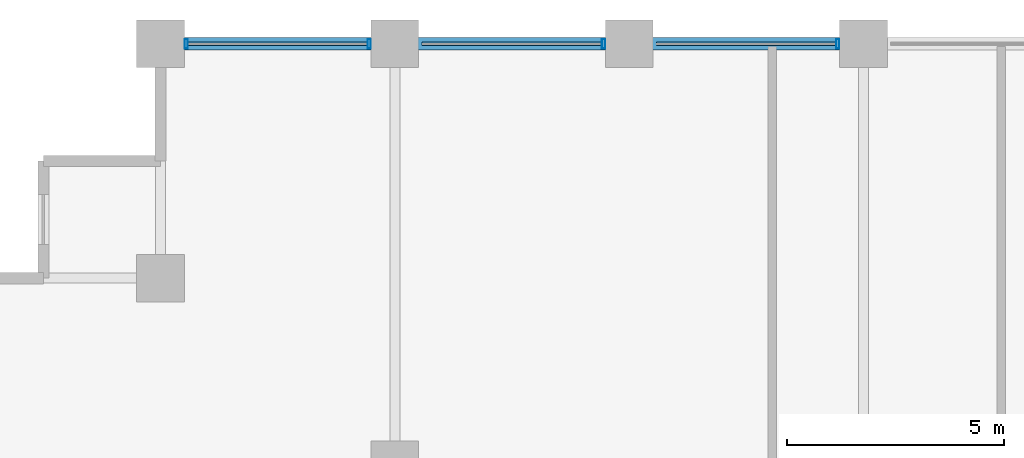
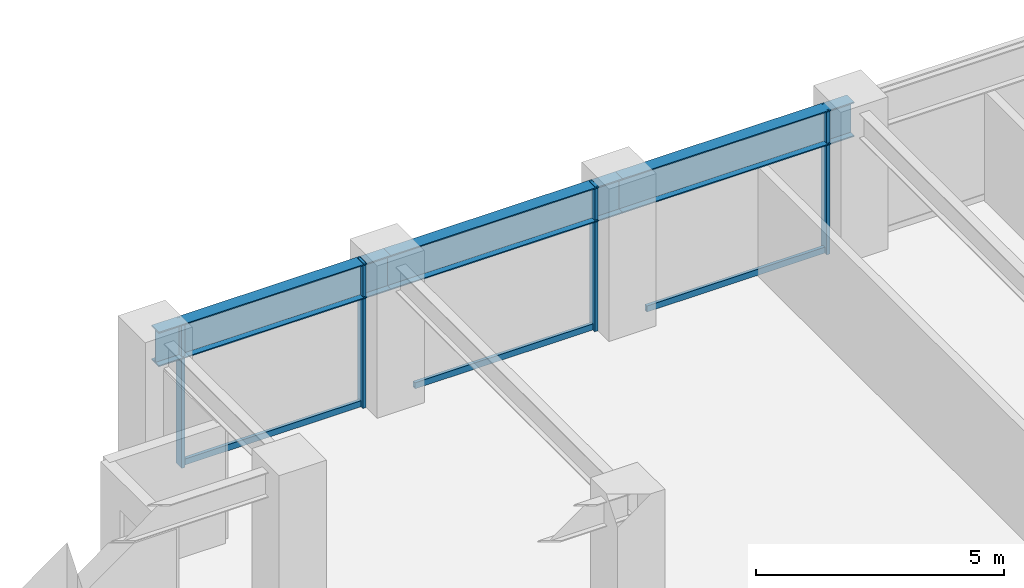
# One storey, part 12 of 25: 7 members, 3 beams, 1 element without a shape of its own.
"""IFC4 building model written with IfcOpenShell, lengths in metres."""

from ifc_helpers import new_model, si_unit, direction, frame, origin, origin_2d, place, context, subcontext, project, spatial, hollow_rectangle, i_section, extrude, material, layer, layer_set, material_profile, profile_set, type_object, element, aggregate, save


model = new_model("IFC4")

# Units and contexts
model_context = context("Model", 3, precision=1e-05, world=origin(), true_north=direction((0.0, 1.0)))
body_context = subcontext(model_context, "Body", "Model", "MODEL_VIEW")
ifc_project = project(units=[si_unit("LENGTHUNIT", "METRE"), si_unit("AREAUNIT", "SQUARE_METRE"), si_unit("VOLUMEUNIT", "CUBIC_METRE"), si_unit("PLANEANGLEUNIT", "RADIAN"), si_unit("MASSUNIT", "GRAM", prefix="KILO")], contexts=[model_context])

# Site, building, storey
site_placement = place(None, origin())
site = spatial("IfcSite", under=ifc_project, at=site_placement, CompositionType="ELEMENT")
building_placement = place(site_placement, origin())
building = spatial("IfcBuilding", under=site, at=building_placement, Name="Surkhivell Harbour Commons", CompositionType="ELEMENT")
storey_placement = place(building_placement, frame((0.0, 0.0, 120.75)))
storey = spatial("IfcBuildingStorey", under=building, at=storey_placement, Name="L31", CompositionType="ELEMENT", Elevation=120.75)

# Beams
ifc_material_1 = material(Name="Steel S460", Category="steel")
ifc_material_profile_1 = material_profile(ifc_material_1, i_section(OverallWidth=0.2939453125, OverallDepth=0.85107421875, WebThickness=0.01611328125, FlangeThickness=0.02685546875, at=origin_2d()), Name="UB838x292x226")
ifc_profile_set_1 = profile_set([ifc_material_profile_1], Name="Steel S460")
beam_type = type_object("IfcBeamType", Name="BM-SPN-838", PredefinedType="SPANDREL", material=ifc_profile_set_1)
beam_1_placement = place(storey_placement, frame((-27.0, 25.89990234375, 3.14453125), z_axis=(1.0, 0.0, 0.0), x_axis=(0.0, 1.0, 0.0)))
element("IfcBeam", 1, at=beam_1_placement, inside=storey, type_object=beam_type, Name="L31 Tube Spandrel (-27.0,25.9)", PredefinedType="SPANDREL", context=body_context, shape_type="SweptSolid", body=[
    extrude(i_section(OverallWidth=0.2939453125, OverallDepth=0.85107421875, WebThickness=0.01611328125, FlangeThickness=0.02685546875, at=origin_2d()), origin(), (0.0, 0.0, 1.0), 5.39990234375),
])
beam_2_placement = place(storey_placement, frame((-21.60009765625, 25.89990234375, 3.14453125), z_axis=(1.0, 0.0, 0.0), x_axis=(0.0, 1.0, 0.0)))
element("IfcBeam", 2, at=beam_2_placement, inside=storey, type_object=beam_type, Name="L31 Tube Spandrel (-21.6,25.9)", PredefinedType="SPANDREL", context=body_context, shape_type="SweptSolid", body=[
    extrude(i_section(OverallWidth=0.2939453125, OverallDepth=0.85107421875, WebThickness=0.01611328125, FlangeThickness=0.02685546875, at=origin_2d()), origin(), (0.0, 0.0, 1.0), 5.400146484375),
])
beam_3_placement = place(storey_placement, frame((-16.199951171875, 25.89990234375, 3.14453125), z_axis=(1.0, 0.0, 0.0), x_axis=(0.0, 1.0, 0.0)))
element("IfcBeam", 3, at=beam_3_placement, inside=storey, type_object=beam_type, Name="L31 Tube Spandrel (-16.2,25.9)", PredefinedType="SPANDREL", context=body_context, shape_type="SweptSolid", body=[
    extrude(i_section(OverallWidth=0.2939453125, OverallDepth=0.85107421875, WebThickness=0.01611328125, FlangeThickness=0.02685546875, at=origin_2d()), origin(), (0.0, 0.0, 1.0), 5.39990234375),
])

# Curtain wall, members
ifc_material_2 = material(Name="Anodised pale-metal aluminium and insulated glazing", Category="aluminium")
ifc_layer = layer(ifc_material_2, 0.205078125)
ifc_layer_set = layer_set([ifc_layer], Name="Anodised pale-metal aluminium and insulated glazing")
curtain_wall_type = type_object("IfcCurtainWallType", Name="CW-SYS-Z2", PredefinedType="NOTDEFINED", material=ifc_layer_set)
curtain_wall_placement = place(storey_placement, origin())
curtain_wall = element("IfcCurtainWall", 4, at=curtain_wall_placement, inside=storey, type_object=curtain_wall_type, Name="L31 Curtain Wall CW-L31-E07S2", PredefinedType="NOTDEFINED")
ifc_material_3 = material(Name="Anodised pale-metal aluminium alloy 6063-T6", Category="aluminium")
ifc_material_profile_2 = material_profile(ifc_material_3, hollow_rectangle(XDim=0.074951171875, YDim=0.219970703125, WallThickness=0.00390625, at=origin_2d()), Name="ALU-MULL-75x220")
ifc_profile_set_2 = profile_set([ifc_material_profile_2], Name="Anodised pale-metal aluminium alloy 6063-T6")
member_type_1 = type_object("IfcMemberType", Name="CWM-220", PredefinedType="MULLION", material=ifc_profile_set_2)
member_1_placement = place(storey_placement, frame((-11.389404296875, 25.89990234375, 0.0), z_axis=(0.0, 0.0, 1.0), x_axis=(-1.0, 0.0, 0.0)))
member_1 = element("IfcMember", 5, at=member_1_placement, type_object=member_type_1, Name="CW-Z2 mullion 2", PredefinedType="MULLION", context=body_context, shape_type="SweptSolid", body=[
    extrude(hollow_rectangle(XDim=0.074951171875, YDim=0.219970703125, WallThickness=0.00390625, at=origin_2d()), origin(), (0.0, 0.0, 1.0), 3.570068359375),
])
member_2_placement = place(storey_placement, frame((-16.78955078125, 25.89990234375, 0.0), z_axis=(0.0, 0.0, 1.0), x_axis=(-1.0, 0.0, 0.0)))
member_2 = element("IfcMember", 6, at=member_2_placement, type_object=member_type_1, Name="CW-Z2 mullion 3", PredefinedType="MULLION", context=body_context, shape_type="SweptSolid", body=[
    extrude(hollow_rectangle(XDim=0.074951171875, YDim=0.219970703125, WallThickness=0.00390625, at=origin_2d()), origin(), (0.0, 0.0, 1.0), 3.570068359375),
])
member_3_placement = place(storey_placement, frame((-22.189453125, 25.89990234375, 0.0), z_axis=(0.0, 0.0, 1.0), x_axis=(-1.0, 0.0, 0.0)))
member_3 = element("IfcMember", 7, at=member_3_placement, type_object=member_type_1, Name="CW-Z2 mullion 4", PredefinedType="MULLION", context=body_context, shape_type="SweptSolid", body=[
    extrude(hollow_rectangle(XDim=0.074951171875, YDim=0.219970703125, WallThickness=0.00390625, at=origin_2d()), origin(), (0.0, 0.0, 1.0), 3.570068359375),
])
member_4_placement = place(storey_placement, frame((-26.410400390625, 25.89990234375, 0.0), z_axis=(0.0, 0.0, 1.0), x_axis=(-1.0, 0.0, 0.0)))
member_4 = element("IfcMember", 8, at=member_4_placement, type_object=member_type_1, Name="CW-Z2 mullion 5", PredefinedType="MULLION", context=body_context, shape_type="SweptSolid", body=[
    extrude(hollow_rectangle(XDim=0.074951171875, YDim=0.219970703125, WallThickness=0.00390625, at=origin_2d()), origin(), (0.0, 0.0, 1.0), 3.570068359375),
])
ifc_material_profile_3 = material_profile(ifc_material_3, hollow_rectangle(XDim=0.074951171875, YDim=0.14990234375, WallThickness=0.00341796875, at=origin_2d()), Name="ALU-TRAN-75x150")
ifc_profile_set_3 = profile_set([ifc_material_profile_3], Name="Anodised pale-metal aluminium alloy 6063-T6")
member_type_2 = type_object("IfcMemberType", Name="CWT-150", PredefinedType="USERDEFINED", material=ifc_profile_set_3)
member_5_placement = place(storey_placement, frame((-11.427001953125, 25.89990234375, 0.074951171875), z_axis=(-1.0, 0.0, 0.0), x_axis=(0.0, -1.0, 0.0)))
member_5 = element("IfcMember", 9, at=member_5_placement, type_object=member_type_2, Name="CW-Z2 transom 2.1", ObjectType="TRANSOM", PredefinedType="USERDEFINED", context=body_context, shape_type="SweptSolid", body=[
    extrude(hollow_rectangle(XDim=0.074951171875, YDim=0.14990234375, WallThickness=0.00341796875, at=origin_2d()), origin(), (0.0, 0.0, 1.0), 4.14599609375),
])
member_6_placement = place(storey_placement, frame((-16.826904296875, 25.89990234375, 0.074951171875), z_axis=(-1.0, 0.0, 0.0), x_axis=(0.0, -1.0, 0.0)))
member_6 = element("IfcMember", 10, at=member_6_placement, type_object=member_type_2, Name="CW-Z2 transom 3.1", ObjectType="TRANSOM", PredefinedType="USERDEFINED", context=body_context, shape_type="SweptSolid", body=[
    extrude(hollow_rectangle(XDim=0.074951171875, YDim=0.14990234375, WallThickness=0.00341796875, at=origin_2d()), origin(), (0.0, 0.0, 1.0), 4.14599609375),
])
member_7_placement = place(storey_placement, frame((-22.22705078125, 25.89990234375, 0.074951171875), z_axis=(-1.0, 0.0, 0.0), x_axis=(0.0, -1.0, 0.0)))
member_7 = element("IfcMember", 11, at=member_7_placement, type_object=member_type_2, Name="CW-Z2 transom 4.1", ObjectType="TRANSOM", PredefinedType="USERDEFINED", context=body_context, shape_type="SweptSolid", body=[
    extrude(hollow_rectangle(XDim=0.074951171875, YDim=0.14990234375, WallThickness=0.00341796875, at=origin_2d()), origin(), (0.0, 0.0, 1.0), 4.14599609375),
])
aggregate(curtain_wall, [member_1, member_5, member_2, member_6, member_3, member_4, member_7])

save(model, "model.ifc")
